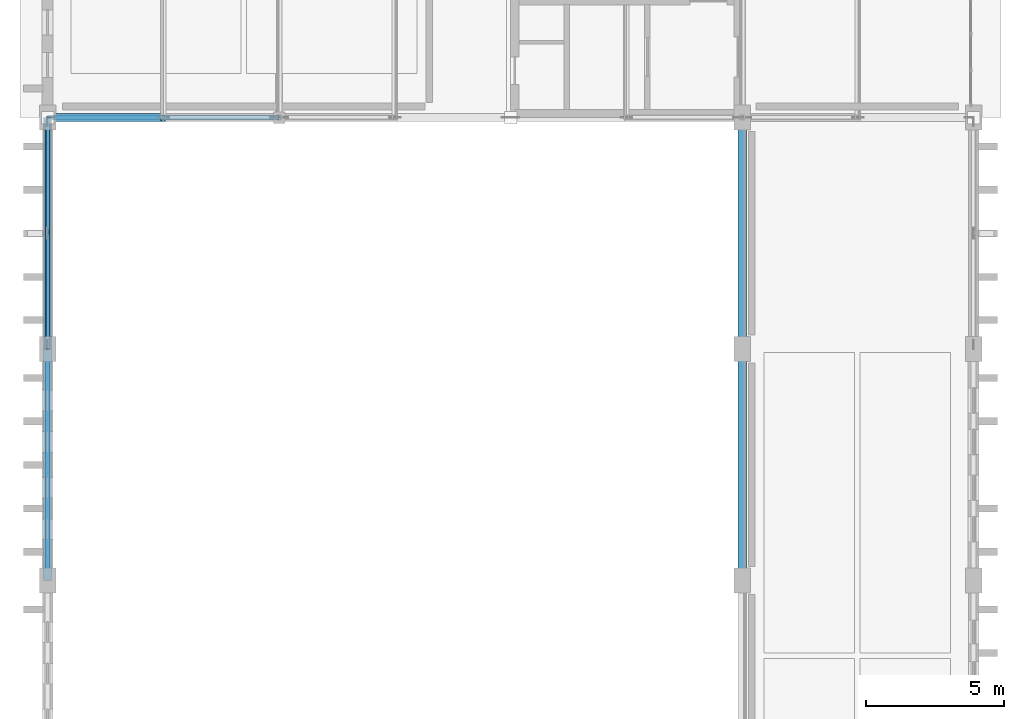
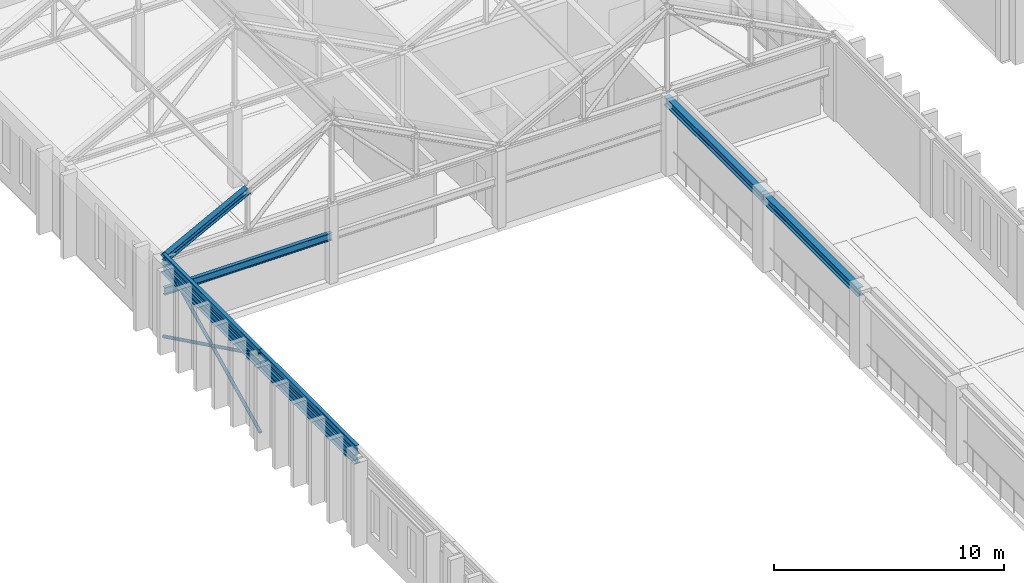
# One storey, part 71 of 192: 7 beams, 4 members.
"""IFC4 building model written with IfcOpenShell, lengths in metres."""

from ifc_helpers import new_model, si_unit, direction, frame, origin, origin_2d, place, context, subcontext, project, spatial, hollow_circle, i_section, extrude, material, material_profile, profile_set, type_object, element, save


model = new_model("IFC4")

# Units and contexts
model_context = context("Model", 3, precision=1e-05, world=origin(), true_north=direction((0.0, 1.0)))
body_context = subcontext(model_context, "Body", "Model", "MODEL_VIEW")
ifc_project = project(units=[si_unit("LENGTHUNIT", "METRE"), si_unit("AREAUNIT", "SQUARE_METRE"), si_unit("VOLUMEUNIT", "CUBIC_METRE"), si_unit("PLANEANGLEUNIT", "RADIAN"), si_unit("MASSUNIT", "GRAM", prefix="KILO")], contexts=[model_context])

# Site, building, storey
site_placement = place(None, origin())
site = spatial("IfcSite", under=ifc_project, at=site_placement, CompositionType="ELEMENT")
building_placement = place(site_placement, origin())
building = spatial("IfcBuilding", under=site, at=building_placement, Name="Kveldsbrygga Polytechnic", CompositionType="ELEMENT")
storey_placement = place(building_placement, frame((0.0, 0.0, 5.43994140625)))
storey = spatial("IfcBuildingStorey", under=building, at=storey_placement, Name="L01", CompositionType="ELEMENT", Elevation=5.43994140625)

# Beams
ifc_material = material(Name="Steel S355", Category="steel")
ifc_material_profile_1 = material_profile(ifc_material, i_section(OverallWidth=0.300048828125, OverallDepth=0.449951171875, WebThickness=0.013916015625, FlangeThickness=0.02587890625, FilletRadius=0.027099609375, at=origin_2d()), Name="HEB 450")
ifc_profile_set_1 = profile_set([ifc_material_profile_1], Name="Steel S355")
beam_type_1 = type_object("IfcBeamType", Name="BM-CRANE-HEB450", PredefinedType="BEAM", material=ifc_profile_set_1)
beam_1_placement = place(storey_placement, frame((25.199951171875, 67.199951171875, 3.735107421875), z_axis=(0.0, 1.0, 0.0), x_axis=(-1.0, 0.0, 0.0)))
element("IfcBeam", 1, at=beam_1_placement, inside=storey, type_object=beam_type_1, Name="Crane Runway Girder CRG-E-08", PredefinedType="BEAM", context=body_context, shape_type="SweptSolid", body=[
    extrude(i_section(OverallWidth=0.300048828125, OverallDepth=0.449951171875, WebThickness=0.013916015625, FlangeThickness=0.02587890625, FilletRadius=0.027099609375, at=origin_2d()), origin(), (0.0, 0.0, 1.0), 8.400146484375),
])
beam_2_placement = place(storey_placement, frame((25.199951171875, 75.60009765625, 3.735107421875), z_axis=(0.0, 1.0, 0.0), x_axis=(-1.0, 0.0, 0.0)))
element("IfcBeam", 2, at=beam_2_placement, inside=storey, type_object=beam_type_1, Name="Crane Runway Girder CRG-E-09", PredefinedType="BEAM", context=body_context, shape_type="SweptSolid", body=[
    extrude(i_section(OverallWidth=0.300048828125, OverallDepth=0.449951171875, WebThickness=0.013916015625, FlangeThickness=0.02587890625, FilletRadius=0.027099609375, at=origin_2d()), origin(), (0.0, 0.0, 1.0), 8.39990234375),
])
ifc_material_profile_2 = material_profile(ifc_material, i_section(OverallWidth=0.300048828125, OverallDepth=0.5, WebThickness=0.014404296875, FlangeThickness=0.028076171875, FilletRadius=0.027099609375, at=origin_2d()), Name="HEB 500")
ifc_profile_set_2 = profile_set([ifc_material_profile_2], Name="Steel S355")
beam_type_2 = type_object("IfcBeamType", Name="BM-CRANE-HEB500", PredefinedType="BEAM", material=ifc_profile_set_2)
beam_3_placement = place(storey_placement, frame((0.0, 67.199951171875, 3.7099609375), z_axis=(0.0, 1.0, 0.0), x_axis=(-1.0, 0.0, 0.0)))
element("IfcBeam", 3, at=beam_3_placement, inside=storey, type_object=beam_type_2, Name="Crane Runway Girder CRG-W-08", PredefinedType="BEAM", context=body_context, shape_type="SweptSolid", body=[
    extrude(i_section(OverallWidth=0.300048828125, OverallDepth=0.5, WebThickness=0.014404296875, FlangeThickness=0.028076171875, FilletRadius=0.027099609375, at=origin_2d()), origin(), (0.0, 0.0, 1.0), 8.400146484375),
])
beam_4_placement = place(storey_placement, frame((0.0, 75.60009765625, 3.7099609375), z_axis=(0.0, 1.0, 0.0), x_axis=(-1.0, 0.0, 0.0)))
element("IfcBeam", 4, at=beam_4_placement, inside=storey, type_object=beam_type_2, Name="Crane Runway Girder CRG-W-09", PredefinedType="BEAM", context=body_context, shape_type="SweptSolid", body=[
    extrude(i_section(OverallWidth=0.300048828125, OverallDepth=0.5, WebThickness=0.014404296875, FlangeThickness=0.028076171875, FilletRadius=0.027099609375, at=origin_2d()), origin(), (0.0, 0.0, 1.0), 8.39990234375),
])
ifc_material_profile_3 = material_profile(ifc_material, i_section(OverallWidth=0.179931640625, OverallDepth=0.39990234375, WebThickness=0.008544921875, FlangeThickness=0.013427734375, FilletRadius=0.02099609375, at=origin_2d()), Name="IPE 400")
ifc_profile_set_3 = profile_set([ifc_material_profile_3], Name="Steel S355")
beam_type_3 = type_object("IfcBeamType", Name="BM-STL-IPE400", PredefinedType="BEAM", material=ifc_profile_set_3)
beam_5_placement = place(storey_placement, frame((0.0, 67.199951171875, 4.219970703125), z_axis=(0.0, 1.0, 0.0), x_axis=(-1.0, 0.0, 0.0)))
element("IfcBeam", 5, at=beam_5_placement, inside=storey, type_object=beam_type_3, Name="Workshop Perimeter Girt Beam BMY-V1GRT-L01-W-08", PredefinedType="BEAM", context=body_context, shape_type="SweptSolid", body=[
    extrude(i_section(OverallWidth=0.179931640625, OverallDepth=0.39990234375, WebThickness=0.008544921875, FlangeThickness=0.013427734375, FilletRadius=0.02099609375, at=origin_2d()), origin(), (0.0, 0.0, 1.0), 8.400146484375),
])
for number, where, z_axis, x_axis, name in (
    (6, (0.0, 75.60009765625, 4.219970703125), (0.0, 1.0, 0.0), (-1.0, 0.0, 0.0), "Workshop Perimeter Girt Beam BMY-V1GRT-L01-W-09"),
    (7, (0.0, 84.0, 2.41015625), (1.0, 0.0, 0.0), (0.0, 1.0, 0.0), "Workshop Girt Beam BMX-V1GRT-L01-N-00"),
):
    element("IfcBeam", number, at=place(storey_placement, frame(where, z_axis=z_axis, x_axis=x_axis)), inside=storey, type_object=beam_type_3, Name=name, PredefinedType="BEAM", context=body_context, shape_type="SweptSolid", body=[
        extrude(i_section(OverallWidth=0.179931640625, OverallDepth=0.39990234375, WebThickness=0.008544921875, FlangeThickness=0.013427734375, FilletRadius=0.02099609375, at=origin_2d()), origin(), (0.0, 0.0, 1.0), 8.39990234375),
    ])

# Members
ifc_material_profile_4 = material_profile(ifc_material, hollow_circle(Radius=0.084228515625, WallThickness=0.010009765625, at=origin_2d()), Name="CHS 168.3x10.0")
ifc_profile_set_4 = profile_set([ifc_material_profile_4], Name="Steel S355")
member_type_1 = type_object("IfcMemberType", Name="BR-WIND-CHS168", PredefinedType="BRACE", material=ifc_profile_set_4)
member_1_placement = place(storey_placement, frame((0.0, 75.60009765625, 0.0), z_axis=(0.0, 0.897814327836, 0.440374196261), x_axis=(-1.0, 0.0, 0.0)))
element("IfcMember", 8, at=member_1_placement, inside=storey, type_object=member_type_1, Name="Workshop Portal Continuous Brace VBR-L01-W-9-A", PredefinedType="BRACE", context=body_context, shape_type="SweptSolid", body=[
    extrude(hollow_circle(Radius=0.084228515625, WallThickness=0.010009765625, at=origin_2d()), origin(), (0.0, 0.0, 1.0), 9.35595703125),
])
for number, where, z_axis, x_axis, name in (
    (9, (0.0, 84.0, 0.0), (0.0, -0.897806877292, 0.440389385756), (1.0, 0.0, 0.0), "Workshop Portal Split Brace VBR-L01-W-9-B1"),
    (10, (0.0, 79.71923828125, 2.099609375), (0.0, -0.897806877292, 0.440389385756), (1.0, 0.0, 0.0), "Workshop Portal Split Brace VBR-L01-W-9-B2"),
):
    element("IfcMember", number, at=place(storey_placement, frame(where, z_axis=z_axis, x_axis=x_axis)), inside=storey, type_object=member_type_1, Name=name, PredefinedType="BRACE", context=body_context, shape_type="SweptSolid", body=[
        extrude(hollow_circle(Radius=0.084228515625, WallThickness=0.010009765625, at=origin_2d()), origin(), (0.0, 0.0, 1.0), 4.587890625),
    ])
ifc_material_profile_5 = material_profile(ifc_material, i_section(OverallWidth=0.300048828125, OverallDepth=0.330078125, WebThickness=0.009521484375, FlangeThickness=0.0166015625, FilletRadius=0.027099609375, at=origin_2d()), Name="HEA 340")
ifc_profile_set_5 = profile_set([ifc_material_profile_5], Name="Steel S355")
member_type_2 = type_object("IfcMemberType", Name="TR-TOP-HEA340", PredefinedType="CHORD", material=ifc_profile_set_5)
member_2_placement = place(storey_placement, frame((0.0, 84.0, 4.1201171875), z_axis=(0.885833551011, 0.0, 0.464003146437), x_axis=(0.0, 1.0, 0.0)))
element("IfcMember", 11, at=member_2_placement, inside=storey, type_object=member_type_2, Name="Truss Top Chord V1N1-T01-TC-1", PredefinedType="CHORD", context=body_context, shape_type="SweptSolid", body=[
    extrude(i_section(OverallWidth=0.300048828125, OverallDepth=0.330078125, WebThickness=0.009521484375, FlangeThickness=0.0166015625, FilletRadius=0.027099609375, at=origin_2d()), origin(), (0.0, 0.0, 1.0), 4.7412109375),
])

save(model, "model.ifc")
